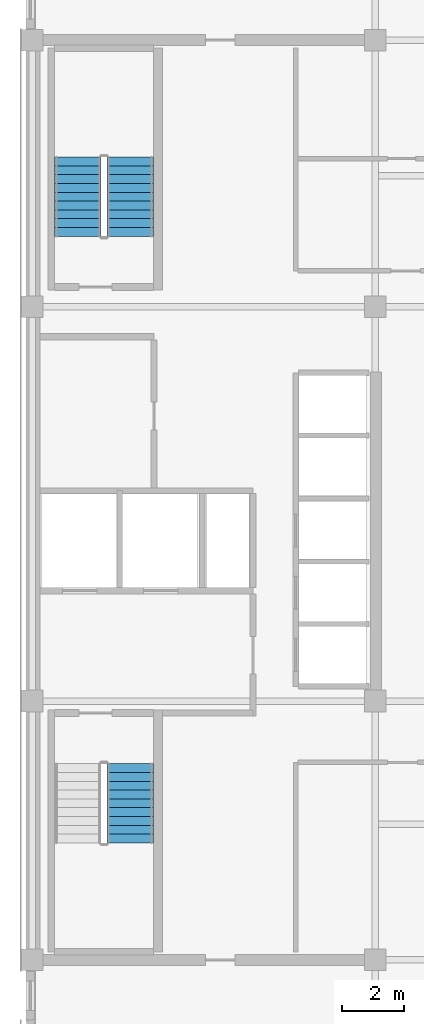
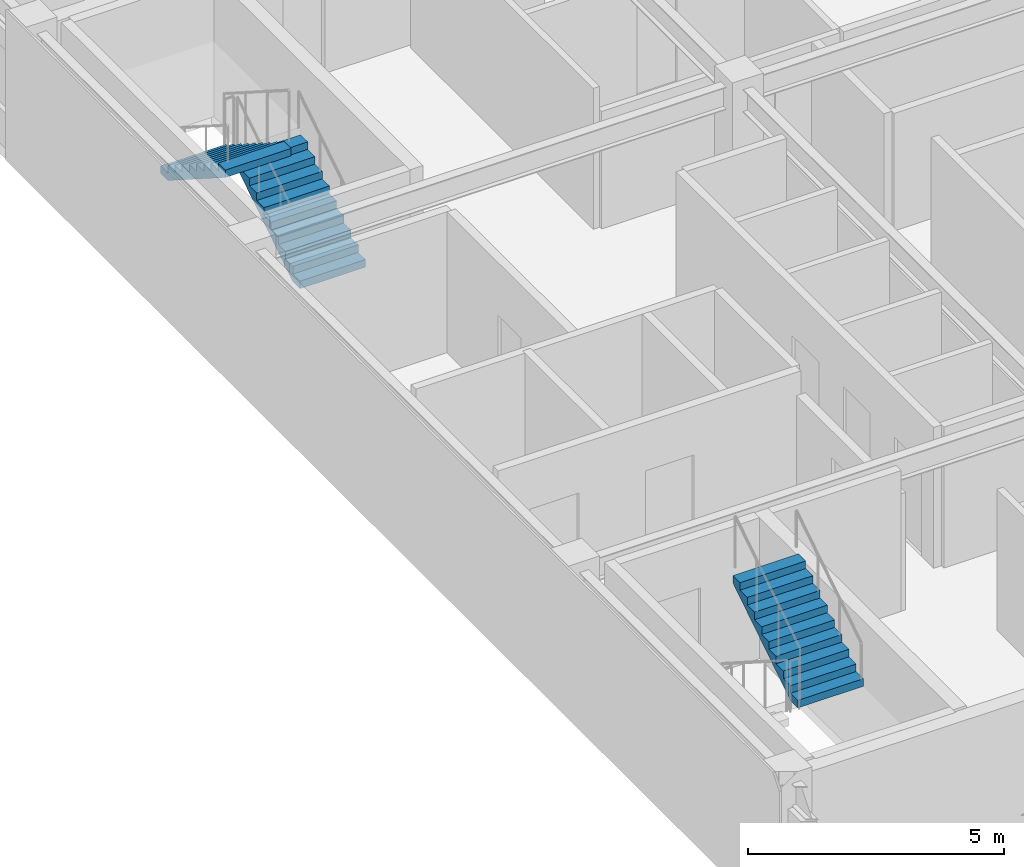
# One storey, part 6 of 7: 3 stair flights, 2 elements without a shape of their own.
"""IFC4 building model written with IfcOpenShell, lengths in metres."""

from ifc_helpers import new_model, si_unit, direction, frame, origin, place, context, subcontext, project, spatial, polyline, outline, extrude, material, type_object, element, aggregate, save


model = new_model("IFC4")

# Units and contexts
model_context = context("Model", 3, precision=1e-05, world=origin(), true_north=direction((0.0, 1.0)))
body_context = subcontext(model_context, "Body", "Model", "MODEL_VIEW")
ifc_project = project(units=[si_unit("LENGTHUNIT", "METRE"), si_unit("AREAUNIT", "SQUARE_METRE"), si_unit("VOLUMEUNIT", "CUBIC_METRE"), si_unit("PLANEANGLEUNIT", "RADIAN"), si_unit("MASSUNIT", "GRAM", prefix="KILO")], contexts=[model_context])

# Site, building, storey
site_placement = place(None, origin())
site = spatial("IfcSite", under=ifc_project, at=site_placement, CompositionType="ELEMENT")
building_placement = place(site_placement, origin())
building = spatial("IfcBuilding", under=site, at=building_placement, Name="Ochreholt Gables", CompositionType="ELEMENT")
storey_placement = place(building_placement, frame((0.0, 0.0, 238.800048828125)))
storey = spatial("IfcBuildingStorey", under=building, at=storey_placement, Name="L62", CompositionType="ELEMENT", Elevation=238.800048828125)

# Stair, stair flight
ifc_material = material(Name="Concrete 40 MPa", Category="concrete")
stair_type_1 = type_object("IfcStairType", Name="STAIR-CORE-ST-1", PredefinedType="HALF_TURN_STAIR", material=ifc_material)
stair_1_placement = place(storey_placement, origin())
stair_1 = element("IfcStair", 1, at=stair_1_placement, inside=storey, type_object=stair_type_1, Name="L62 Core Exit Stair 1", PredefinedType="HALF_TURN_STAIR")
stair_flight_type = type_object("IfcStairFlightType", Name="FLIGHT-ST-1480-1800", PredefinedType="STRAIGHT", material=ifc_material)
stair_flight_1_placement = place(storey_placement, frame((27.340087890625, 13.001953125, 1.800048828125), z_axis=(0.0, 0.0, 1.0), x_axis=(0.0, 1.0, 0.0)))
stair_flight_1 = element("IfcStairFlight", 2, at=stair_flight_1_placement, type_object=stair_flight_type, Name="ST-1 flight 2", NumberOfRisers=10, NumberOfTreads=9, PredefinedType="STRAIGHT", RiserHeight=0.18, TreadLength=0.282, context=body_context, shape_type="SweptSolid", body=[
    extrude(outline(polyline([(0.0, 0.0), (0.0, 0.179931640625), (0.281982421875, 0.179931640625), (0.281982421875, 0.360107421875), (0.56396484375, 0.360107421875), (0.56396484375, 0.5400390625), (0.845947265625, 0.5400390625), (0.845947265625, 0.719970703125), (1.1279296875, 0.719970703125), (1.1279296875, 0.89990234375), (1.409912109375, 0.89990234375), (1.409912109375, 1.080078125), (1.69189453125, 1.080078125), (1.69189453125, 1.260009765625), (1.97412109375, 1.260009765625), (1.97412109375, 1.43994140625), (2.256103515625, 1.43994140625), (2.256103515625, 1.6201171875), (2.5380859375, 1.6201171875), (2.5380859375, 1.800048828125), (2.5380859375, 1.442138671875), (0.278564453125, 0.0), (0.0, 0.0)])), frame((0.0, 0.739990234375, 0.0), z_axis=(0.0, -1.0, 0.0), x_axis=(1.0, 0.0, 0.0)), (0.0, 0.0, 1.0), 1.47998046875),
])
aggregate(stair_1, [stair_flight_1])

# Stair, stair flights
stair_type_2 = type_object("IfcStairType", Name="STAIR-CORE-ST-2", PredefinedType="HALF_TURN_STAIR", material=ifc_material)
stair_2_placement = place(storey_placement, origin())
stair_2 = element("IfcStair", 3, at=stair_2_placement, inside=storey, type_object=stair_type_2, Name="L62 Core Exit Stair 2", PredefinedType="HALF_TURN_STAIR")
stair_flight_2_placement = place(storey_placement, frame((27.340087890625, 32.4599609375, 0.0), z_axis=(0.0, 0.0, 1.0), x_axis=(0.0, 1.0, 0.0)))
stair_flight_2 = element("IfcStairFlight", 4, at=stair_flight_2_placement, type_object=stair_flight_type, Name="ST-2 flight 1", NumberOfRisers=10, NumberOfTreads=9, PredefinedType="STRAIGHT", RiserHeight=0.18, TreadLength=0.282, context=body_context, shape_type="SweptSolid", body=[
    extrude(outline(polyline([(0.0, 0.0), (0.0, 0.179931640625), (0.281982421875, 0.179931640625), (0.281982421875, 0.360107421875), (0.56396484375, 0.360107421875), (0.56396484375, 0.5400390625), (0.845947265625, 0.5400390625), (0.845947265625, 0.719970703125), (1.1279296875, 0.719970703125), (1.1279296875, 0.89990234375), (1.409912109375, 0.89990234375), (1.409912109375, 1.080078125), (1.69189453125, 1.080078125), (1.69189453125, 1.260009765625), (1.97412109375, 1.260009765625), (1.97412109375, 1.43994140625), (2.256103515625, 1.43994140625), (2.256103515625, 1.6201171875), (2.5380859375, 1.6201171875), (2.5380859375, 1.800048828125), (2.5380859375, 1.442138671875), (0.278564453125, 0.0), (0.0, 0.0)])), frame((0.0, 0.739990234375, 0.0), z_axis=(0.0, -1.0, 0.0), x_axis=(1.0, 0.0, 0.0)), (0.0, 0.0, 1.0), 1.47998046875),
])
stair_flight_3_placement = place(storey_placement, frame((25.659912109375, 34.998046875, 1.800048828125), z_axis=(0.0, 0.0, 1.0), x_axis=(0.0, -1.0, 0.0)))
stair_flight_3 = element("IfcStairFlight", 5, at=stair_flight_3_placement, type_object=stair_flight_type, Name="ST-2 flight 2", NumberOfRisers=10, NumberOfTreads=9, PredefinedType="STRAIGHT", RiserHeight=0.18, TreadLength=0.282, context=body_context, shape_type="SweptSolid", body=[
    extrude(outline(polyline([(0.0, 0.0), (0.0, 0.179931640625), (0.281982421875, 0.179931640625), (0.281982421875, 0.360107421875), (0.56396484375, 0.360107421875), (0.56396484375, 0.5400390625), (0.845947265625, 0.5400390625), (0.845947265625, 0.719970703125), (1.1279296875, 0.719970703125), (1.1279296875, 0.89990234375), (1.409912109375, 0.89990234375), (1.409912109375, 1.080078125), (1.69189453125, 1.080078125), (1.69189453125, 1.260009765625), (1.97412109375, 1.260009765625), (1.97412109375, 1.43994140625), (2.256103515625, 1.43994140625), (2.256103515625, 1.6201171875), (2.5380859375, 1.6201171875), (2.5380859375, 1.800048828125), (2.5380859375, 1.442138671875), (0.278564453125, 0.0), (0.0, 0.0)])), frame((0.0, 0.739990234375, 0.0), z_axis=(0.0, -1.0, 0.0), x_axis=(1.0, 0.0, 0.0)), (0.0, 0.0, 1.0), 1.47998046875),
])
aggregate(stair_2, [stair_flight_2, stair_flight_3])

save(model, "model.ifc")
